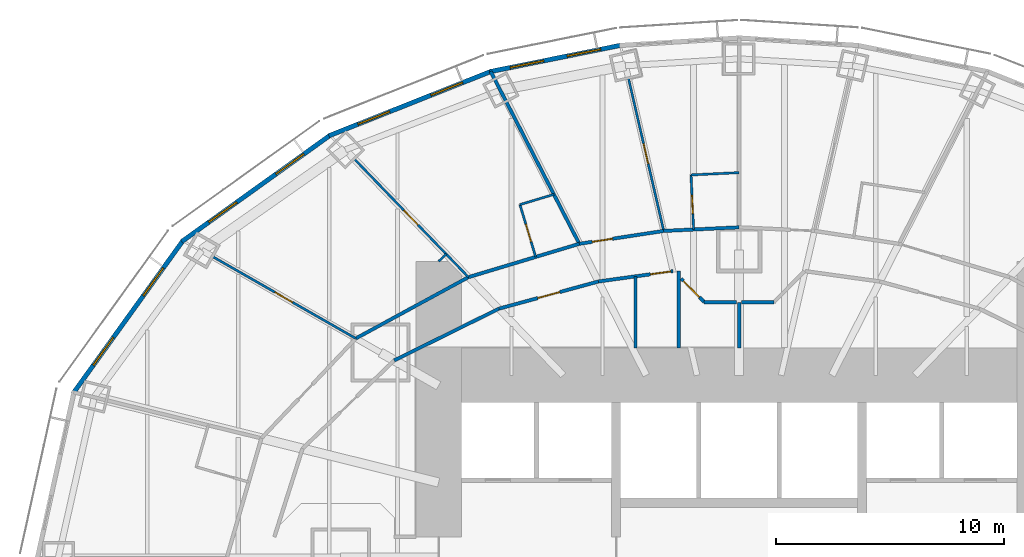
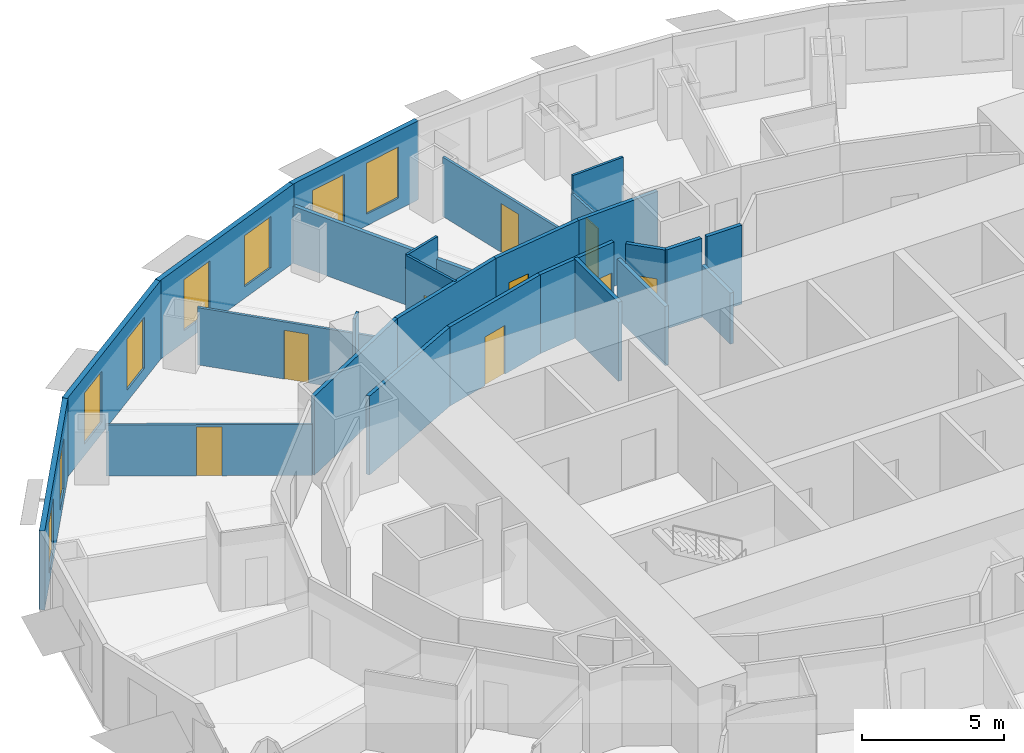
# One storey, part 9 of 15: 26 walls, 9 doors, 8 windows, 17 openings.
"""IFC4 building model written with IfcOpenShell, lengths in metres."""

from ifc_helpers import new_model, si_unit, direction, frame, frame_2d, origin, place, context, subcontext, project, spatial, rectangle, extrude, material, layer, layer_set, type_object, element, fill, save


model = new_model("IFC4")

# Units and contexts
model_context = context("Model", 3, precision=1e-05, world=origin(), true_north=direction((0.0, 1.0)))
body_context = subcontext(model_context, "Body", "Model", "MODEL_VIEW")
ifc_project = project(units=[si_unit("LENGTHUNIT", "METRE"), si_unit("AREAUNIT", "SQUARE_METRE"), si_unit("VOLUMEUNIT", "CUBIC_METRE"), si_unit("PLANEANGLEUNIT", "RADIAN"), si_unit("MASSUNIT", "GRAM", prefix="KILO")], contexts=[model_context])

# Site, building, storey
site_placement = place(None, origin())
site = spatial("IfcSite", under=ifc_project, at=site_placement, CompositionType="ELEMENT")
building_placement = place(site_placement, origin())
building = spatial("IfcBuilding", under=site, at=building_placement, Name="Lantaw Convention Tower", CompositionType="ELEMENT")
storey_placement = place(building_placement, frame((0.0, 0.0, 101.800048828125)))
storey = spatial("IfcBuildingStorey", under=building, at=storey_placement, Name="L24", CompositionType="ELEMENT", Elevation=101.800048828125)

# Walls
ifc_material_1 = material(Name="Gypsum board on steel studs", Category="steel")
ifc_layer_1 = layer(ifc_material_1, 0.14990234375)
ifc_layer_set_1 = layer_set([ifc_layer_1], Name="Back of house wall 150")
wall_type_1 = type_object("IfcWallType", Name="Back of house wall 150", PredefinedType="PARTITIONING", material=ifc_layer_set_1)
wall_1_placement = place(storey_placement, frame((0.0, 9.199951171875, 0.0), z_axis=(0.0, 0.0, 1.0), x_axis=(0.0, 1.0, 0.0)))
element("IfcWall", 1, at=wall_1_placement, inside=storey, type_object=wall_type_1, Name="Back of house wall 150", PredefinedType="PARTITIONING", context=body_context, shape_type="SweptSolid", body=[
    extrude(rectangle(XDim=2.005126953125, YDim=0.14990234375, at=frame_2d((1.00244140625, 0.0))), origin(), (0.0, 0.0, 1.0), 2.199951171875),
])
wall_2_placement = place(storey_placement, frame((-0.103271484375, 11.215087890625, 0.0), z_axis=(0.0, 0.0, 1.0), x_axis=(-1.0, 0.0, 0.0)))
element("IfcWall", 2, at=wall_2_placement, inside=storey, type_object=wall_type_1, Name="Back of house wall 150", PredefinedType="PARTITIONING", context=body_context, shape_type="SweptSolid", body=[
    extrude(rectangle(XDim=1.428955078125, YDim=0.14990234375, at=frame_2d((0.71435546875, 0.0))), origin(), (0.0, 0.0, 1.0), 3.39990234375),
])

# Wall, opening, door
ifc_material_2 = material(Name="Moisture resistant gypsum board on steel studs", Category="steel")
ifc_layer_2 = layer(ifc_material_2, 0.10009765625)
ifc_layer_set_2 = layer_set([ifc_layer_2], Name="Bathroom wall 100")
wall_type_2 = type_object("IfcWallType", Name="Bathroom wall 100", PredefinedType="PARTITIONING", material=ifc_layer_set_2)
wall_3_placement = place(storey_placement, frame((-1.997802734375, 14.40478515625, 0.0), z_axis=(0.0, 0.0, 1.0), x_axis=(-0.047608648396, 0.998866065395, 0.0)))
wall_3 = element("IfcWall", 3, at=wall_3_placement, inside=storey, type_object=wall_type_2, Name="Bathroom wall 100", PredefinedType="PARTITIONING", context=body_context, shape_type="SweptSolid", body=[
    extrude(rectangle(XDim=2.39990234375, YDim=0.10009765625, at=frame_2d((1.199951171875, 0.0))), origin(), (0.0, 0.0, 1.0), 2.627685546875),
])
opening_1_placement = place(wall_3_placement, frame((0.699951171875, 0.0, 0.0)))
opening_1 = element("IfcOpeningElement", 4, at=opening_1_placement, cuts=wall_3, Name="Opening L24.30", PredefinedType="OPENING", context=body_context, shape_type="SweptSolid", body=[
    extrude(rectangle(XDim=0.800048828125, YDim=2.10009765625, at=frame_2d((0.39990234375, 1.050048828125))), frame((0.0, 0.06005859375, 0.0), z_axis=(0.0, -1.0, 0.0), x_axis=(1.0, 0.0, 0.0)), (0.0, 0.0, 1.0), 0.1201171875),
])
ifc_material_3 = material(Name="Timber", Category="wood")
door_type_1 = type_object("IfcDoorType", Name="Bathroom door 800", OperationType="SINGLE_SWING_LEFT", PredefinedType="DOOR", material=ifc_material_3)
door_1_placement = place(opening_1_placement, origin())
door_1 = element("IfcDoor", 5, at=door_1_placement, inside=storey, type_object=door_type_1, Name="Bathroom door", OperationType="SINGLE_SWING_LEFT", OverallHeight=2.10009765625, OverallWidth=0.800048828125, PredefinedType="DOOR", context=body_context, shape_type="SweptSolid", body=[
    extrude(rectangle(XDim=0.800048828125, YDim=2.10009765625, at=frame_2d((0.39990234375, 1.050048828125))), frame((0.0, 0.02490234375, 0.0), z_axis=(0.0, -1.0, 0.0), x_axis=(1.0, 0.0, 0.0)), (0.0, 0.0, 1.0), 0.050048828125),
])
fill(opening_1, door_1)

# Wall
wall_4_placement = place(storey_placement, frame((-2.112060546875, 16.802001953125, 0.0), z_axis=(0.0, 0.0, 1.0), x_axis=(0.998862383453, 0.047685835668, 0.0)))
element("IfcWall", 6, at=wall_4_placement, inside=storey, type_object=wall_type_2, Name="Bathroom wall 100", PredefinedType="PARTITIONING", context=body_context, shape_type="SweptSolid", body=[
    extrude(rectangle(XDim=2.114501953125, YDim=0.10009765625, at=frame_2d((1.05712890625, 0.0))), origin(), (0.0, 0.0, 1.0), 3.39990234375),
])

# Wall, opening, door
wall_5_placement = place(storey_placement, frame((-8.9345703125, 13.199951171875, 0.0), z_axis=(0.0, 0.0, 1.0), x_axis=(-0.288197066254, 0.957571120598, 0.0)))
wall_5 = element("IfcWall", 7, at=wall_5_placement, inside=storey, type_object=wall_type_2, Name="Bathroom wall 100", PredefinedType="PARTITIONING", context=body_context, shape_type="SweptSolid", body=[
    extrude(rectangle(XDim=2.39990234375, YDim=0.10009765625, at=frame_2d((1.199951171875, 0.0))), origin(), (0.0, 0.0, 1.0), 3.39990234375),
])
opening_2_placement = place(wall_5_placement, frame((0.699951171875, 0.0, 0.0)))
opening_2 = element("IfcOpeningElement", 8, at=opening_2_placement, cuts=wall_5, Name="Opening L24.33", PredefinedType="OPENING", context=body_context, shape_type="SweptSolid", body=[
    extrude(rectangle(XDim=0.800048828125, YDim=2.10009765625, at=frame_2d((0.39990234375, 1.050048828125))), frame((0.0, 0.06005859375, 0.0), z_axis=(0.0, -1.0, 0.0), x_axis=(1.0, 0.0, 0.0)), (0.0, 0.0, 1.0), 0.1201171875),
])
door_2_placement = place(opening_2_placement, origin())
door_2 = element("IfcDoor", 9, at=door_2_placement, inside=storey, type_object=door_type_1, Name="Bathroom door", OperationType="SINGLE_SWING_LEFT", OverallHeight=2.10009765625, OverallWidth=0.800048828125, PredefinedType="DOOR", context=body_context, shape_type="SweptSolid", body=[
    extrude(rectangle(XDim=0.800048828125, YDim=2.10009765625, at=frame_2d((0.39990234375, 1.050048828125))), frame((0.0, 0.02490234375, 0.0), z_axis=(0.0, -1.0, 0.0), x_axis=(1.0, 0.0, 0.0)), (0.0, 0.0, 1.0), 0.050048828125),
])
fill(opening_2, door_2)

# Walls
wall_6_placement = place(storey_placement, frame((-9.626220703125, 15.498046875, 0.0), z_axis=(0.0, 0.0, 1.0), x_axis=(0.957551231109, 0.288263143328, 0.0)))
element("IfcWall", 10, at=wall_6_placement, inside=storey, type_object=wall_type_2, Name="Bathroom wall 100", PredefinedType="PARTITIONING", context=body_context, shape_type="SweptSolid", body=[
    extrude(rectangle(XDim=1.56591796875, YDim=0.10009765625, at=frame_2d((0.782958984375, 0.0))), origin(), (0.0, 0.0, 1.0), 3.39990234375),
])
ifc_material_4 = material(Name="Gypsum board on steel studs, fire rated", Category="steel")
ifc_layer_3 = layer(ifc_material_4, 0.14990234375)
ifc_layer_set_3 = layer_set([ifc_layer_3], Name="Corridor wall 150 EI 60")
wall_type_3 = type_object("IfcWallType", Name="Corridor wall 150 EI 60", PredefinedType="PARTITIONING", material=ifc_layer_set_3)
wall_7_placement = place(storey_placement, frame((0.0, 14.5, 0.0), z_axis=(0.0, 0.0, 1.0), x_axis=(-0.998863968075, -0.047652631422, 0.0)))
element("IfcWall", 11, at=wall_7_placement, inside=storey, type_object=wall_type_3, Name="Corridor wall 150", PredefinedType="PARTITIONING", context=body_context, shape_type="SweptSolid", body=[
    extrude(rectangle(XDim=3.314697265625, YDim=0.14990234375, at=frame_2d((1.6572265625, 0.0))), origin(), (0.0, 0.0, 1.0), 3.39990234375),
])

# Wall, opening, door
wall_8_placement = place(storey_placement, frame((-3.31103515625, 14.342041015625, 0.0), z_axis=(0.0, 0.0, 1.0), x_axis=(-0.988564270062, -0.150800145746, 0.0)))
wall_8 = element("IfcWall", 12, at=wall_8_placement, inside=storey, type_object=wall_type_3, Name="Corridor wall 150", PredefinedType="PARTITIONING", context=body_context, shape_type="SweptSolid", body=[
    extrude(rectangle(XDim=3.751220703125, YDim=0.14990234375, at=frame_2d((1.87548828125, 0.0))), origin(), (0.0, 0.0, 1.0), 3.39990234375),
])
opening_3_placement = place(wall_8_placement, frame((2.27587890625, 0.0, 0.0)))
opening_3 = element("IfcOpeningElement", 13, at=opening_3_placement, cuts=wall_8, Name="Opening L24.32", PredefinedType="OPENING", context=body_context, shape_type="SweptSolid", body=[
    extrude(rectangle(XDim=0.89990234375, YDim=2.10009765625, at=frame_2d((0.449951171875, 1.050048828125))), frame((0.0, 0.0849609375, 0.0), z_axis=(0.0, -1.0, 0.0), x_axis=(1.0, 0.0, 0.0)), (0.0, 0.0, 1.0), 0.169921875),
])
ifc_material_5 = material(Name="Steel, fire rated", Category="steel")
door_type_2 = type_object("IfcDoorType", Name="Guest room entrance door FD30S", OperationType="SINGLE_SWING_LEFT", PredefinedType="DOOR", material=ifc_material_5)
door_3_placement = place(opening_3_placement, origin())
door_3 = element("IfcDoor", 14, at=door_3_placement, inside=storey, type_object=door_type_2, Name="Suite entrance door", OperationType="SINGLE_SWING_LEFT", OverallHeight=2.10009765625, OverallWidth=0.89990234375, PredefinedType="DOOR", context=body_context, shape_type="SweptSolid", body=[
    extrude(rectangle(XDim=0.89990234375, YDim=2.10009765625, at=frame_2d((0.449951171875, 1.050048828125))), frame((0.0, 0.02490234375, 0.0), z_axis=(0.0, -1.0, 0.0), x_axis=(1.0, 0.0, 0.0)), (0.0, 0.0, 1.0), 0.050048828125),
])
fill(opening_3, door_3)

# Walls
wall_9_placement = place(storey_placement, frame((-7.019287109375, 13.7763671875, 0.0), z_axis=(0.0, 0.0, 1.0), x_axis=(-0.957564241242, -0.288219922793, 0.0)))
element("IfcWall", 15, at=wall_9_placement, inside=storey, type_object=wall_type_3, Name="Corridor wall 150", PredefinedType="PARTITIONING", context=body_context, shape_type="SweptSolid", body=[
    extrude(rectangle(XDim=5.0849609375, YDim=0.14990234375, at=frame_2d((2.54248046875, 0.0))), origin(), (0.0, 0.0, 1.0), 3.39990234375),
])
wall_10_placement = place(storey_placement, frame((-11.888427734375, 12.310791015625, 0.0), z_axis=(0.0, 0.0, 1.0), x_axis=(-0.878450059298, -0.477834169267, 0.0)))
element("IfcWall", 16, at=wall_10_placement, inside=storey, type_object=wall_type_3, Name="Corridor wall 150", PredefinedType="PARTITIONING", context=body_context, shape_type="SweptSolid", body=[
    extrude(rectangle(XDim=5.630859375, YDim=0.14990234375, at=frame_2d((2.8154296875, 0.0))), origin(), (0.0, 0.0, 1.0), 3.39990234375),
])

# Wall, opening, door
wall_11_placement = place(storey_placement, frame((-2.903076171875, 12.574462890625, 0.0), z_axis=(0.0, 0.0, 1.0), x_axis=(-0.990563451353, -0.137054911782, 0.0)))
wall_11 = element("IfcWall", 17, at=wall_11_placement, inside=storey, type_object=wall_type_3, Name="Corridor wall 150", PredefinedType="PARTITIONING", context=body_context, shape_type="SweptSolid", body=[
    extrude(rectangle(XDim=3.304443359375, YDim=0.14990234375, at=frame_2d((1.65234375, 0.0))), origin(), (0.0, 0.0, 1.0), 3.39990234375),
])
opening_4_placement = place(wall_11_placement, frame((0.10009765625, 0.0, 0.0)))
opening_4 = element("IfcOpeningElement", 18, at=opening_4_placement, cuts=wall_11, Name="Opening L24.18", PredefinedType="OPENING", context=body_context, shape_type="SweptSolid", body=[
    extrude(rectangle(XDim=0.89990234375, YDim=2.10009765625, at=frame_2d((0.449951171875, 1.050048828125))), frame((0.0, 0.0849609375, 0.0), z_axis=(0.0, -1.0, 0.0), x_axis=(1.0, 0.0, 0.0)), (0.0, 0.0, 1.0), 0.169921875),
])
door_type_3 = type_object("IfcDoorType", Name="WC door 900 FD30", OperationType="SINGLE_SWING_LEFT", PredefinedType="DOOR", material=ifc_material_5)
door_4_placement = place(opening_4_placement, origin())
door_4 = element("IfcDoor", 19, at=door_4_placement, inside=storey, type_object=door_type_3, Name="Staff WC door", OperationType="SINGLE_SWING_LEFT", OverallHeight=2.10009765625, OverallWidth=0.89990234375, PredefinedType="DOOR", context=body_context, shape_type="SweptSolid", body=[
    extrude(rectangle(XDim=0.89990234375, YDim=2.10009765625, at=frame_2d((0.449951171875, 1.050048828125))), frame((0.0, 0.02490234375, 0.0), z_axis=(0.0, -1.0, 0.0), x_axis=(1.0, 0.0, 0.0)), (0.0, 0.0, 1.0), 0.050048828125),
])
fill(opening_4, door_4)

wall_12_placement = place(storey_placement, frame((-6.17626953125, 12.12158203125, 0.0), z_axis=(0.0, 0.0, 1.0), x_axis=(-0.964644466646, -0.263554648923, 0.0)))
wall_12 = element("IfcWall", 20, at=wall_12_placement, inside=storey, type_object=wall_type_3, Name="Corridor wall 150", PredefinedType="PARTITIONING", context=body_context, shape_type="SweptSolid", body=[
    extrude(rectangle(XDim=4.535400390625, YDim=0.14990234375, at=frame_2d((2.267578125, 0.0))), origin(), (0.0, 0.0, 1.0), 3.39990234375),
])
opening_5_placement = place(wall_12_placement, frame((1.767578125, 0.0, 0.0)))
opening_5 = element("IfcOpeningElement", 21, at=opening_5_placement, cuts=wall_12, Name="Opening L24.19", PredefinedType="OPENING", context=body_context, shape_type="SweptSolid", body=[
    extrude(rectangle(XDim=1.0, YDim=2.10009765625, at=frame_2d((0.5, 1.050048828125))), frame((0.0, 0.0849609375, 0.0), z_axis=(0.0, -1.0, 0.0), x_axis=(1.0, 0.0, 0.0)), (0.0, 0.0, 1.0), 0.169921875),
])
door_type_4 = type_object("IfcDoorType", Name="Service door 1000 FD30", OperationType="SINGLE_SWING_LEFT", PredefinedType="DOOR", material=ifc_material_5)
door_5_placement = place(opening_5_placement, origin())
door_5 = element("IfcDoor", 22, at=door_5_placement, inside=storey, type_object=door_type_4, Name="Housekeeping room door", OperationType="SINGLE_SWING_LEFT", OverallHeight=2.10009765625, OverallWidth=1.0, PredefinedType="DOOR", context=body_context, shape_type="SweptSolid", body=[
    extrude(rectangle(XDim=1.0, YDim=2.10009765625, at=frame_2d((0.5, 1.050048828125))), frame((0.0, 0.02490234375, 0.0), z_axis=(0.0, -1.0, 0.0), x_axis=(1.0, 0.0, 0.0)), (0.0, 0.0, 1.0), 0.050048828125),
])
fill(opening_5, door_5)

# Walls
wall_13_placement = place(storey_placement, frame((-10.55126953125, 10.92626953125, 0.0), z_axis=(0.0, 0.0, 1.0), x_axis=(-0.89656943448, -0.442903205177, 0.0)))
element("IfcWall", 23, at=wall_13_placement, inside=storey, type_object=wall_type_3, Name="Corridor wall 150", PredefinedType="PARTITIONING", context=body_context, shape_type="SweptSolid", body=[
    extrude(rectangle(XDim=5.12646484375, YDim=0.14990234375, at=frame_2d((2.563232421875, 0.0))), origin(), (0.0, 0.0, 1.0), 3.39990234375),
])
wall_14_placement = place(storey_placement, frame((1.5322265625, 11.215087890625, 0.0), z_axis=(0.0, 0.0, 1.0), x_axis=(-1.0, 0.0, 0.0)))
element("IfcWall", 24, at=wall_14_placement, inside=storey, type_object=wall_type_3, Name="Corridor wall 150", PredefinedType="PARTITIONING", context=body_context, shape_type="SweptSolid", body=[
    extrude(rectangle(XDim=1.428955078125, YDim=0.14990234375, at=frame_2d((0.71435546875, 0.0))), origin(), (0.0, 0.0, 1.0), 3.39990234375),
])

# Wall, opening, door
wall_15_placement = place(storey_placement, frame((-1.5322265625, 11.215087890625, 0.0), z_axis=(0.0, 0.0, 1.0), x_axis=(-0.701250244986, 0.712915208077, 0.0)))
wall_15 = element("IfcWall", 25, at=wall_15_placement, inside=storey, type_object=wall_type_3, Name="Corridor wall 150", PredefinedType="PARTITIONING", context=body_context, shape_type="SweptSolid", body=[
    extrude(rectangle(XDim=1.444091796875, YDim=0.14990234375, at=frame_2d((0.72216796875, 0.0))), origin(), (0.0, 0.0, 1.0), 3.39990234375),
])
opening_6_placement = place(wall_15_placement, frame((0.300048828125, 0.0, 0.0)))
opening_6 = element("IfcOpeningElement", 26, at=opening_6_placement, cuts=wall_15, Name="Opening L24.17", PredefinedType="OPENING", context=body_context, shape_type="SweptSolid", body=[
    extrude(rectangle(XDim=1.0, YDim=2.10009765625, at=frame_2d((0.5, 1.050048828125))), frame((0.0, 0.0849609375, 0.0), z_axis=(0.0, -1.0, 0.0), x_axis=(1.0, 0.0, 0.0)), (0.0, 0.0, 1.0), 0.169921875),
])
door_type_5 = type_object("IfcDoorType", Name="Accessible WC door 1000 FD30", OperationType="SINGLE_SWING_LEFT", PredefinedType="DOOR", material=ifc_material_5)
door_6_placement = place(opening_6_placement, origin())
door_6 = element("IfcDoor", 27, at=door_6_placement, inside=storey, type_object=door_type_5, Name="Accessible WC door", OperationType="SINGLE_SWING_LEFT", OverallHeight=2.10009765625, OverallWidth=1.0, PredefinedType="DOOR", context=body_context, shape_type="SweptSolid", body=[
    extrude(rectangle(XDim=1.0, YDim=2.10009765625, at=frame_2d((0.5, 1.050048828125))), frame((0.0, 0.02490234375, 0.0), z_axis=(0.0, -1.0, 0.0), x_axis=(1.0, 0.0, 0.0)), (0.0, 0.0, 1.0), 0.050048828125),
])
fill(opening_6, door_6)

# Wall, openings, windows
ifc_material_6 = material(Name="Insulated aluminium panel on steel frame", Category="steel")
ifc_layer_4 = layer(ifc_material_6, 0.199951171875)
ifc_layer_set_4 = layer_set([ifc_layer_4], Name="External wall 200")
wall_type_4 = type_object("IfcWallType", Name="External wall 200", PredefinedType="SOLIDWALL", material=ifc_layer_set_4)
wall_16_placement = place(storey_placement, frame((-5.169677734375, 22.504150390625, 0.0), z_axis=(0.0, 0.0, 1.0), x_axis=(-0.980251657452, -0.197754110105, 0.0)))
wall_16 = element("IfcWall", 28, at=wall_16_placement, inside=storey, type_object=wall_type_4, Name="Facade panel wall", PredefinedType="SOLIDWALL", context=body_context, shape_type="SweptSolid", body=[
    extrude(rectangle(XDim=5.90380859375, YDim=0.199951171875, at=frame_2d((2.951904296875, 0.0))), origin(), (0.0, 0.0, 1.0), 3.39990234375),
])
opening_7_placement = place(wall_16_placement, frame((0.92578125, 0.0, 0.5)))
opening_7 = element("IfcOpeningElement", 29, at=opening_7_placement, cuts=wall_16, Name="Opening W2", PredefinedType="OPENING", context=body_context, shape_type="SweptSolid", body=[
    extrude(rectangle(XDim=1.5, YDim=2.199951171875, at=frame_2d((0.75, 1.10009765625))), frame((0.0, 0.10986328125, 0.0), z_axis=(0.0, -1.0, 0.0), x_axis=(1.0, 0.0, 0.0)), (0.0, 0.0, 1.0), 0.219970703125),
])
opening_8_placement = place(wall_16_placement, frame((3.477783203125, 0.0, 0.5)))
opening_8 = element("IfcOpeningElement", 30, at=opening_8_placement, cuts=wall_16, Name="Opening W2", PredefinedType="OPENING", context=body_context, shape_type="SweptSolid", body=[
    extrude(rectangle(XDim=1.5, YDim=2.199951171875, at=frame_2d((0.75, 1.10009765625))), frame((0.0, 0.10986328125, 0.0), z_axis=(0.0, -1.0, 0.0), x_axis=(1.0, 0.0, 0.0)), (0.0, 0.0, 1.0), 0.219970703125),
])
ifc_material_7 = material(Name="Aluminium frame, clear insulating glass", Category="aluminium")
window_type = type_object("IfcWindowType", Name="Suite window 1500x2200", PartitioningType="SINGLE_PANEL", PredefinedType="WINDOW", material=ifc_material_7)
window_1_placement = place(opening_7_placement, origin())
window_1 = element("IfcWindow", 31, at=window_1_placement, inside=storey, type_object=window_type, Name="Guest room window", OverallHeight=2.199951171875, OverallWidth=1.5, PartitioningType="SINGLE_PANEL", PredefinedType="WINDOW", context=body_context, shape_type="SweptSolid", body=[
    extrude(rectangle(XDim=1.5, YDim=2.199951171875, at=frame_2d((0.75, 1.10009765625))), frame((0.0, 0.030029296875, 0.0), z_axis=(0.0, -1.0, 0.0), x_axis=(1.0, 0.0, 0.0)), (0.0, 0.0, 1.0), 0.06005859375),
])
fill(opening_7, window_1)
window_2_placement = place(opening_8_placement, origin())
window_2 = element("IfcWindow", 32, at=window_2_placement, inside=storey, type_object=window_type, Name="Guest room window", OverallHeight=2.199951171875, OverallWidth=1.5, PartitioningType="SINGLE_PANEL", PredefinedType="WINDOW", context=body_context, shape_type="SweptSolid", body=[
    extrude(rectangle(XDim=1.5, YDim=2.199951171875, at=frame_2d((0.75, 1.10009765625))), frame((0.0, 0.030029296875, 0.0), z_axis=(0.0, -1.0, 0.0), x_axis=(1.0, 0.0, 0.0)), (0.0, 0.0, 1.0), 0.06005859375),
])
fill(opening_8, window_2)

wall_17_placement = place(storey_placement, frame((-10.869384765625, 21.362548828125, 0.0), z_axis=(0.0, 0.0, 1.0), x_axis=(-0.929358351251, -0.369178892895, 0.0)))
wall_17 = element("IfcWall", 33, at=wall_17_placement, inside=storey, type_object=wall_type_4, Name="Facade panel wall", PredefinedType="SOLIDWALL", context=body_context, shape_type="SweptSolid", body=[
    extrude(rectangle(XDim=7.6923828125, YDim=0.199951171875, at=frame_2d((3.84619140625, 0.0))), origin(), (0.0, 0.0, 1.0), 3.39990234375),
])
opening_9_placement = place(wall_17_placement, frame((1.373046875, 0.0, 0.5)))
opening_9 = element("IfcOpeningElement", 34, at=opening_9_placement, cuts=wall_17, Name="Opening W2", PredefinedType="OPENING", context=body_context, shape_type="SweptSolid", body=[
    extrude(rectangle(XDim=1.5, YDim=2.199951171875, at=frame_2d((0.75, 1.10009765625))), frame((0.0, 0.10986328125, 0.0), z_axis=(0.0, -1.0, 0.0), x_axis=(1.0, 0.0, 0.0)), (0.0, 0.0, 1.0), 0.219970703125),
])
opening_10_placement = place(wall_17_placement, frame((4.819091796875, 0.0, 0.5)))
opening_10 = element("IfcOpeningElement", 35, at=opening_10_placement, cuts=wall_17, Name="Opening W2", PredefinedType="OPENING", context=body_context, shape_type="SweptSolid", body=[
    extrude(rectangle(XDim=1.5, YDim=2.199951171875, at=frame_2d((0.75, 1.10009765625))), frame((0.0, 0.10986328125, 0.0), z_axis=(0.0, -1.0, 0.0), x_axis=(1.0, 0.0, 0.0)), (0.0, 0.0, 1.0), 0.219970703125),
])
window_3_placement = place(opening_9_placement, origin())
window_3 = element("IfcWindow", 36, at=window_3_placement, inside=storey, type_object=window_type, Name="Guest room window", OverallHeight=2.199951171875, OverallWidth=1.5, PartitioningType="SINGLE_PANEL", PredefinedType="WINDOW", context=body_context, shape_type="SweptSolid", body=[
    extrude(rectangle(XDim=1.5, YDim=2.199951171875, at=frame_2d((0.75, 1.10009765625))), frame((0.0, 0.030029296875, 0.0), z_axis=(0.0, -1.0, 0.0), x_axis=(1.0, 0.0, 0.0)), (0.0, 0.0, 1.0), 0.06005859375),
])
fill(opening_9, window_3)
window_4_placement = place(opening_10_placement, origin())
window_4 = element("IfcWindow", 37, at=window_4_placement, inside=storey, type_object=window_type, Name="Guest room window", OverallHeight=2.199951171875, OverallWidth=1.5, PartitioningType="SINGLE_PANEL", PredefinedType="WINDOW", context=body_context, shape_type="SweptSolid", body=[
    extrude(rectangle(XDim=1.5, YDim=2.199951171875, at=frame_2d((0.75, 1.10009765625))), frame((0.0, 0.030029296875, 0.0), z_axis=(0.0, -1.0, 0.0), x_axis=(1.0, 0.0, 0.0)), (0.0, 0.0, 1.0), 0.06005859375),
])
fill(opening_10, window_4)

wall_18_placement = place(storey_placement, frame((-17.9287109375, 18.57177734375, 0.0), z_axis=(0.0, 0.0, 1.0), x_axis=(-0.812791321576, -0.582554948112, 0.0)))
wall_18 = element("IfcWall", 38, at=wall_18_placement, inside=storey, type_object=wall_type_4, Name="Facade panel wall", PredefinedType="SOLIDWALL", context=body_context, shape_type="SweptSolid", body=[
    extrude(rectangle(XDim=8.063232421875, YDim=0.199951171875, at=frame_2d((4.03173828125, 0.0))), origin(), (0.0, 0.0, 1.0), 3.39990234375),
])
opening_11_placement = place(wall_18_placement, frame((1.4658203125, 0.0, 0.5)))
opening_11 = element("IfcOpeningElement", 39, at=opening_11_placement, cuts=wall_18, Name="Opening W2", PredefinedType="OPENING", context=body_context, shape_type="SweptSolid", body=[
    extrude(rectangle(XDim=1.5, YDim=2.199951171875, at=frame_2d((0.75, 1.10009765625))), frame((0.0, 0.10986328125, 0.0), z_axis=(0.0, -1.0, 0.0), x_axis=(1.0, 0.0, 0.0)), (0.0, 0.0, 1.0), 0.219970703125),
])
opening_12_placement = place(wall_18_placement, frame((5.097412109375, 0.0, 0.5)))
opening_12 = element("IfcOpeningElement", 40, at=opening_12_placement, cuts=wall_18, Name="Opening W2", PredefinedType="OPENING", context=body_context, shape_type="SweptSolid", body=[
    extrude(rectangle(XDim=1.5, YDim=2.199951171875, at=frame_2d((0.75, 1.10009765625))), frame((0.0, 0.10986328125, 0.0), z_axis=(0.0, -1.0, 0.0), x_axis=(1.0, 0.0, 0.0)), (0.0, 0.0, 1.0), 0.219970703125),
])
window_5_placement = place(opening_11_placement, origin())
window_5 = element("IfcWindow", 41, at=window_5_placement, inside=storey, type_object=window_type, Name="Guest room window", OverallHeight=2.199951171875, OverallWidth=1.5, PartitioningType="SINGLE_PANEL", PredefinedType="WINDOW", context=body_context, shape_type="SweptSolid", body=[
    extrude(rectangle(XDim=1.5, YDim=2.199951171875, at=frame_2d((0.75, 1.10009765625))), frame((0.0, 0.030029296875, 0.0), z_axis=(0.0, -1.0, 0.0), x_axis=(1.0, 0.0, 0.0)), (0.0, 0.0, 1.0), 0.06005859375),
])
fill(opening_11, window_5)
window_6_placement = place(opening_12_placement, origin())
window_6 = element("IfcWindow", 42, at=window_6_placement, inside=storey, type_object=window_type, Name="Guest room window", OverallHeight=2.199951171875, OverallWidth=1.5, PartitioningType="SINGLE_PANEL", PredefinedType="WINDOW", context=body_context, shape_type="SweptSolid", body=[
    extrude(rectangle(XDim=1.5, YDim=2.199951171875, at=frame_2d((0.75, 1.10009765625))), frame((0.0, 0.030029296875, 0.0), z_axis=(0.0, -1.0, 0.0), x_axis=(1.0, 0.0, 0.0)), (0.0, 0.0, 1.0), 0.06005859375),
])
fill(opening_12, window_6)

wall_19_placement = place(storey_placement, frame((-24.400390625, 13.95654296875, 0.0), z_axis=(0.0, 0.0, 1.0), x_axis=(-0.583937613703, -0.811798536155, 0.0)))
wall_19 = element("IfcWall", 43, at=wall_19_placement, inside=storey, type_object=wall_type_4, Name="Facade panel wall", PredefinedType="SOLIDWALL", context=body_context, shape_type="SweptSolid", body=[
    extrude(rectangle(XDim=8.322998046875, YDim=0.199951171875, at=frame_2d((4.16162109375, 0.0))), origin(), (0.0, 0.0, 1.0), 3.39990234375),
])
opening_13_placement = place(wall_19_placement, frame((1.53076171875, 0.0, 0.5)))
opening_13 = element("IfcOpeningElement", 44, at=opening_13_placement, cuts=wall_19, Name="Opening W2", PredefinedType="OPENING", context=body_context, shape_type="SweptSolid", body=[
    extrude(rectangle(XDim=1.5, YDim=2.199951171875, at=frame_2d((0.75, 1.10009765625))), frame((0.0, 0.10986328125, 0.0), z_axis=(0.0, -1.0, 0.0), x_axis=(1.0, 0.0, 0.0)), (0.0, 0.0, 1.0), 0.219970703125),
])
opening_14_placement = place(wall_19_placement, frame((5.292236328125, 0.0, 0.5)))
opening_14 = element("IfcOpeningElement", 45, at=opening_14_placement, cuts=wall_19, Name="Opening W2", PredefinedType="OPENING", context=body_context, shape_type="SweptSolid", body=[
    extrude(rectangle(XDim=1.5, YDim=2.199951171875, at=frame_2d((0.75, 1.10009765625))), frame((0.0, 0.10986328125, 0.0), z_axis=(0.0, -1.0, 0.0), x_axis=(1.0, 0.0, 0.0)), (0.0, 0.0, 1.0), 0.219970703125),
])
window_7_placement = place(opening_13_placement, origin())
window_7 = element("IfcWindow", 46, at=window_7_placement, inside=storey, type_object=window_type, Name="Guest room window", OverallHeight=2.199951171875, OverallWidth=1.5, PartitioningType="SINGLE_PANEL", PredefinedType="WINDOW", context=body_context, shape_type="SweptSolid", body=[
    extrude(rectangle(XDim=1.5, YDim=2.199951171875, at=frame_2d((0.75, 1.10009765625))), frame((0.0, 0.030029296875, 0.0), z_axis=(0.0, -1.0, 0.0), x_axis=(1.0, 0.0, 0.0)), (0.0, 0.0, 1.0), 0.06005859375),
])
fill(opening_13, window_7)
window_8_placement = place(opening_14_placement, origin())
window_8 = element("IfcWindow", 47, at=window_8_placement, inside=storey, type_object=window_type, Name="Guest room window", OverallHeight=2.199951171875, OverallWidth=1.5, PartitioningType="SINGLE_PANEL", PredefinedType="WINDOW", context=body_context, shape_type="SweptSolid", body=[
    extrude(rectangle(XDim=1.5, YDim=2.199951171875, at=frame_2d((0.75, 1.10009765625))), frame((0.0, 0.030029296875, 0.0), z_axis=(0.0, -1.0, 0.0), x_axis=(1.0, 0.0, 0.0)), (0.0, 0.0, 1.0), 0.06005859375),
])
fill(opening_14, window_8)

# Walls
ifc_material_8 = material(Name="Gypsum board on steel studs, acoustic", Category="steel")
ifc_layer_5 = layer(ifc_material_8, 0.14990234375)
ifc_layer_set_5 = layer_set([ifc_layer_5], Name="Guest room party wall 150")
wall_type_5 = type_object("IfcWallType", Name="Guest room party wall 150", PredefinedType="PARTITIONING", material=ifc_layer_set_5)
wall_20_placement = place(storey_placement, frame((-10.911865234375, 21.345703125, 0.0), z_axis=(0.0, 0.0, 1.0), x_axis=(0.457327273085, -0.889298468059, 0.0)))
element("IfcWall", 48, at=wall_20_placement, inside=storey, type_object=wall_type_5, Name="Guest room party wall 150", PredefinedType="PARTITIONING", context=body_context, shape_type="SweptSolid", body=[
    extrude(rectangle(XDim=8.511474609375, YDim=0.14990234375, at=frame_2d((4.255859375, 0.0))), origin(), (0.0, 0.0, 1.0), 2.462646484375),
])
ifc_layer_6 = layer(ifc_material_8, 0.10009765625)
ifc_layer_set_6 = layer_set([ifc_layer_6], Name="Office partition 100")
wall_type_6 = type_object("IfcWallType", Name="Office partition 100", PredefinedType="PARTITIONING", material=ifc_layer_set_6)
wall_21_placement = place(storey_placement, frame((-13.199951171875, 13.0, 0.0), z_axis=(0.0, 0.0, 1.0), x_axis=(0.719347134512, 0.69465077562, 0.0)))
element("IfcWall", 49, at=wall_21_placement, inside=storey, type_object=wall_type_6, Name="Office partition 100", PredefinedType="PARTITIONING", context=body_context, shape_type="SweptSolid", body=[
    extrude(rectangle(XDim=0.464599609375, YDim=0.10009765625, at=frame_2d((0.232421875, 0.0))), origin(), (0.0, 0.0, 1.0), 3.39990234375),
])

# Wall, opening, door
ifc_layer_7 = layer(ifc_material_1, 0.10009765625)
ifc_layer_set_7 = layer_set([ifc_layer_7], Name="Suite partition 100")
wall_type_7 = type_object("IfcWallType", Name="Suite partition 100", PredefinedType="PARTITIONING", material=ifc_layer_set_7)
wall_22_placement = place(storey_placement, frame((-4.873779296875, 21.11083984375, 0.0), z_axis=(0.0, 0.0, 1.0), x_axis=(0.224957040173, -0.974368682828, 0.0)))
wall_22 = element("IfcWall", 50, at=wall_22_placement, inside=storey, type_object=wall_type_7, Name="Suite partition 100", PredefinedType="PARTITIONING", context=body_context, shape_type="SweptSolid", body=[
    extrude(rectangle(XDim=6.94677734375, YDim=0.10009765625, at=frame_2d((3.473388671875, 0.0))), origin(), (0.0, 0.0, 1.0), 2.55419921875),
])
opening_15_placement = place(wall_22_placement, frame((3.0234375, 0.0, 0.0)))
opening_15 = element("IfcOpeningElement", 51, at=opening_15_placement, cuts=wall_22, Name="Opening L24.31", PredefinedType="OPENING", context=body_context, shape_type="SweptSolid", body=[
    extrude(rectangle(XDim=0.89990234375, YDim=2.10009765625, at=frame_2d((0.449951171875, 1.050048828125))), frame((0.0, 0.06005859375, 0.0), z_axis=(0.0, -1.0, 0.0), x_axis=(1.0, 0.0, 0.0)), (0.0, 0.0, 1.0), 0.1201171875),
])
door_type_6 = type_object("IfcDoorType", Name="Suite door 900", OperationType="SINGLE_SWING_LEFT", PredefinedType="DOOR", material=ifc_material_3)
door_7_placement = place(opening_15_placement, origin())
door_7 = element("IfcDoor", 52, at=door_7_placement, inside=storey, type_object=door_type_6, Name="Bedroom door", OperationType="SINGLE_SWING_LEFT", OverallHeight=2.10009765625, OverallWidth=0.89990234375, PredefinedType="DOOR", context=body_context, shape_type="SweptSolid", body=[
    extrude(rectangle(XDim=0.89990234375, YDim=2.10009765625, at=frame_2d((0.449951171875, 1.050048828125))), frame((0.0, 0.02490234375, 0.0), z_axis=(0.0, -1.0, 0.0), x_axis=(1.0, 0.0, 0.0)), (0.0, 0.0, 1.0), 0.050048828125),
])
fill(opening_15, door_7)

wall_23_placement = place(storey_placement, frame((-16.943603515625, 17.54541015625, 0.0), z_axis=(0.0, 0.0, 1.0), x_axis=(0.694669949151, -0.719328618746, 0.0)))
wall_23 = element("IfcWall", 53, at=wall_23_placement, inside=storey, type_object=wall_type_7, Name="Suite partition 100", PredefinedType="PARTITIONING", context=body_context, shape_type="SweptSolid", body=[
    extrude(rectangle(XDim=7.277099609375, YDim=0.10009765625, at=frame_2d((3.638671875, 0.0))), origin(), (0.0, 0.0, 1.0), 2.462646484375),
])
opening_16_placement = place(wall_23_placement, frame((3.188720703125, 0.0, 0.0)))
opening_16 = element("IfcOpeningElement", 54, at=opening_16_placement, cuts=wall_23, Name="Opening L24.34", PredefinedType="OPENING", context=body_context, shape_type="SweptSolid", body=[
    extrude(rectangle(XDim=0.89990234375, YDim=2.10009765625, at=frame_2d((0.449951171875, 1.050048828125))), frame((0.0, 0.06005859375, 0.0), z_axis=(0.0, -1.0, 0.0), x_axis=(1.0, 0.0, 0.0)), (0.0, 0.0, 1.0), 0.1201171875),
])
door_8_placement = place(opening_16_placement, origin())
door_8 = element("IfcDoor", 55, at=door_8_placement, inside=storey, type_object=door_type_6, Name="Bedroom door", OperationType="SINGLE_SWING_LEFT", OverallHeight=2.10009765625, OverallWidth=0.89990234375, PredefinedType="DOOR", context=body_context, shape_type="SweptSolid", body=[
    extrude(rectangle(XDim=0.89990234375, YDim=2.10009765625, at=frame_2d((0.449951171875, 1.050048828125))), frame((0.0, 0.02490234375, 0.0), z_axis=(0.0, -1.0, 0.0), x_axis=(1.0, 0.0, 0.0)), (0.0, 0.0, 1.0), 0.050048828125),
])
fill(opening_16, door_8)

wall_24_placement = place(storey_placement, frame((-23.1708984375, 13.240478515625, 0.0), z_axis=(0.0, 0.0, 1.0), x_axis=(0.868253436131, -0.496120923412, 0.0)))
wall_24 = element("IfcWall", 56, at=wall_24_placement, inside=storey, type_object=wall_type_7, Name="Suite partition 100", PredefinedType="PARTITIONING", context=body_context, shape_type="SweptSolid", body=[
    extrude(rectangle(XDim=7.29736328125, YDim=0.10009765625, at=frame_2d((3.648681640625, 0.0))), origin(), (0.0, 0.0, 1.0), 2.199951171875),
])
opening_17_placement = place(wall_24_placement, frame((3.198486328125, 0.0, 0.0)))
opening_17 = element("IfcOpeningElement", 57, at=opening_17_placement, cuts=wall_24, Name="Opening L24.35", PredefinedType="OPENING", context=body_context, shape_type="SweptSolid", body=[
    extrude(rectangle(XDim=0.89990234375, YDim=2.10009765625, at=frame_2d((0.449951171875, 1.050048828125))), frame((0.0, 0.06005859375, 0.0), z_axis=(0.0, -1.0, 0.0), x_axis=(1.0, 0.0, 0.0)), (0.0, 0.0, 1.0), 0.1201171875),
])
door_9_placement = place(opening_17_placement, origin())
door_9 = element("IfcDoor", 58, at=door_9_placement, inside=storey, type_object=door_type_6, Name="Kitchenette door", OperationType="SINGLE_SWING_LEFT", OverallHeight=2.10009765625, OverallWidth=0.89990234375, PredefinedType="DOOR", context=body_context, shape_type="SweptSolid", body=[
    extrude(rectangle(XDim=0.89990234375, YDim=2.10009765625, at=frame_2d((0.449951171875, 1.050048828125))), frame((0.0, 0.02490234375, 0.0), z_axis=(0.0, -1.0, 0.0), x_axis=(1.0, 0.0, 0.0)), (0.0, 0.0, 1.0), 0.050048828125),
])
fill(opening_17, door_9)

# Walls
ifc_material_9 = material(Name="Concrete blockwork", Category="masonry")
ifc_layer_8 = layer(ifc_material_9, 0.14990234375)
ifc_layer_set_8 = layer_set([ifc_layer_8], Name="WC wall 150")
wall_type_8 = type_object("IfcWallType", Name="WC wall 150", PredefinedType="SOLIDWALL", material=ifc_layer_set_8)
wall_25_placement = place(storey_placement, frame((-2.64990234375, 9.199951171875, 0.0), z_axis=(0.0, 0.0, 1.0), x_axis=(0.0, 1.0, 0.0)))
element("IfcWall", 59, at=wall_25_placement, inside=storey, type_object=wall_type_8, Name="WC wall 150", PredefinedType="SOLIDWALL", context=body_context, shape_type="SweptSolid", body=[
    extrude(rectangle(XDim=3.385498046875, YDim=0.14990234375, at=frame_2d((1.69287109375, 0.0))), origin(), (0.0, 0.0, 1.0), 2.55419921875),
])
wall_26_placement = place(storey_placement, frame((-4.550048828125, 9.199951171875, 0.0), z_axis=(0.0, 0.0, 1.0), x_axis=(0.0, 1.0, 0.0)))
element("IfcWall", 60, at=wall_26_placement, inside=storey, type_object=wall_type_8, Name="WC wall 150", PredefinedType="SOLIDWALL", context=body_context, shape_type="SweptSolid", body=[
    extrude(rectangle(XDim=3.146728515625, YDim=0.14990234375, at=frame_2d((1.5732421875, 0.0))), origin(), (0.0, 0.0, 1.0), 3.39990234375),
])

save(model, "model.ifc")
